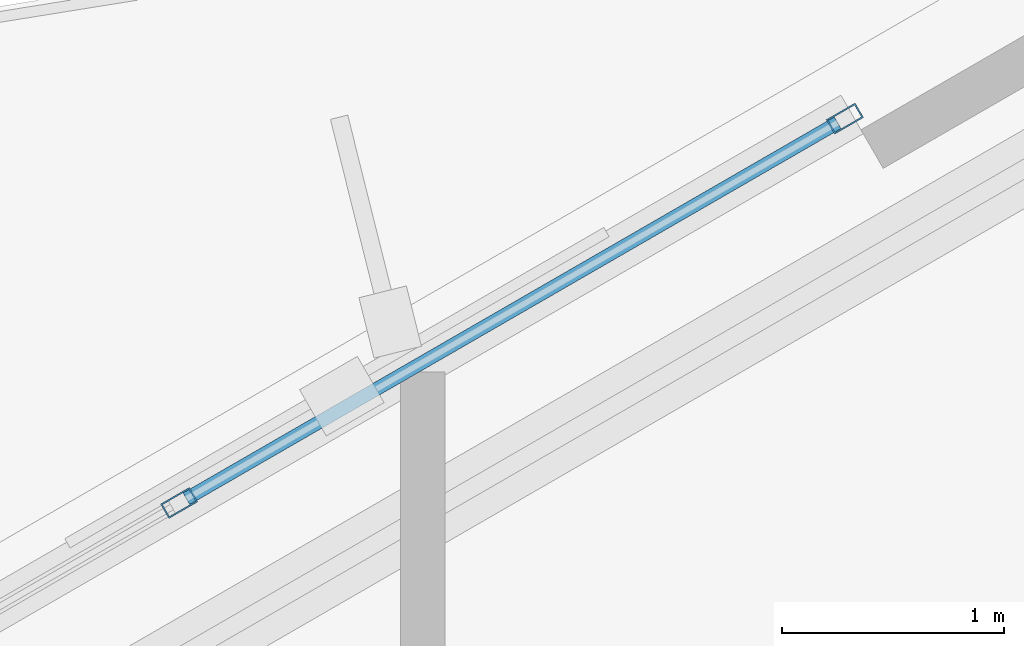
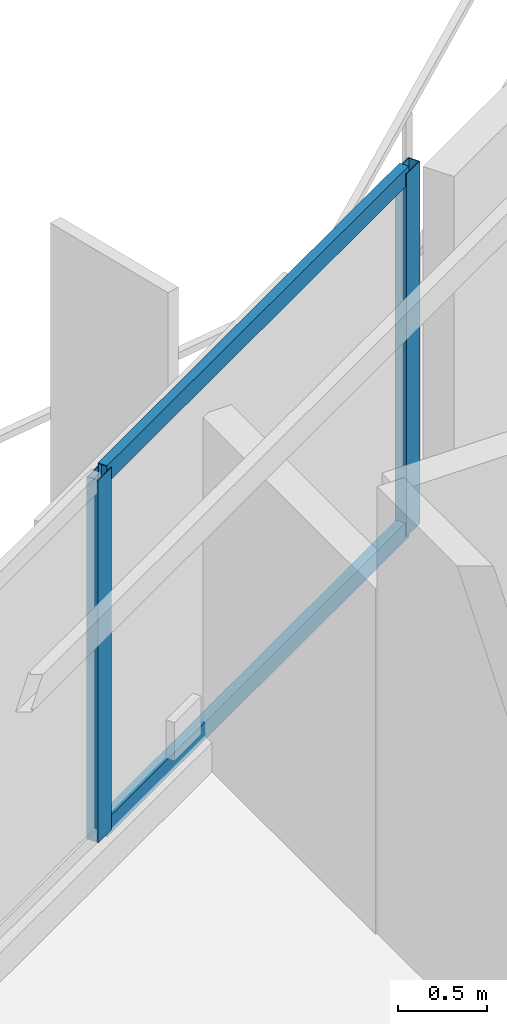
# One storey, part 10 of 19: 4 members, 1 element without a shape of its own.
"""IFC4 building model written with IfcOpenShell, lengths in metres."""

import ifcopenshell
import ifcopenshell.guid

model = None  # the IFC model being written
_history = None  # IfcOwnerHistory: only IFC2X3 demands one
_inside = {}  # id of a spatial element -> (the spatial element, [elements in it])
_under = {}  # id of a project, library or spatial element -> (it, [spatial elements below it])
_declared = {}  # id of a project -> (the project, [libraries it declares])
_typed = {}  # id of a type object -> (the type object, [elements of that type])
_made_of = {}  # id of a material, layer set ... -> (it, [elements and type objects made of it])


def new_model(schema):
    """Start an empty IFC model of exactly this schema.

    Asked for "IFC4X3", IfcOpenShell would pick the latest addendum, in which some entities
    have other attributes; the version numbers below select the first issue.
    IFC2X3 requires an IfcOwnerHistory on every rooted entity: one is made here for all.
    """
    global model, _history
    if schema == "IFC4X3":
        model = ifcopenshell.file(schema_version=(4, 3, 0, 0))
    else:
        model = ifcopenshell.file(schema=schema)
    _inside.clear()
    _under.clear()
    _declared.clear()
    _typed.clear()
    _made_of.clear()
    _history = None
    if model.schema == "IFC2X3":
        org = make("IfcOrganization", Name="unknown")
        user = make(
            "IfcPersonAndOrganization",
            ThePerson=make("IfcPerson", FamilyName="unknown"),
            TheOrganization=org,
        )
        app = make(
            "IfcApplication",
            ApplicationDeveloper=org,
            Version="unknown",
            ApplicationFullName="unknown",
            ApplicationIdentifier="unknown",
        )
        _history = make(
            "IfcOwnerHistory",
            OwningUser=user,
            OwningApplication=app,
            ChangeAction="ADDED",
            CreationDate=0,
        )
    return model


def make(cls, **values):
    """One entity of the class cls with the attributes given. An attribute that is None is left unset."""
    return model.create_entity(
        cls, **{name: value for name, value in values.items() if value is not None}
    )


def rooted(cls, **values):
    """An entity with a GlobalId (a new one), such as an element, a storey or a relation."""
    return make(cls, GlobalId=ifcopenshell.guid.new(), OwnerHistory=_history, **values)


def si_unit(unit_type, name, prefix=None):
    """IfcSIUnit, for example si_unit("LENGTHUNIT", "METRE", prefix="MILLI")."""
    return make("IfcSIUnit", UnitType=unit_type, Prefix=prefix, Name=name)


def assignment(units):
    """IfcUnitAssignment: the units of a project."""
    return None if units is None else make("IfcUnitAssignment", Units=units)


def point(xyz):
    """IfcCartesianPoint."""
    return None if xyz is None else make("IfcCartesianPoint", Coordinates=xyz)


def direction(xyz):
    """IfcDirection."""
    return None if xyz is None else make("IfcDirection", DirectionRatios=xyz)


def frame(location, z_axis=None, x_axis=None):
    """IfcAxis2Placement3D, a coordinate frame: its origin and axes. An axis left out is left unset."""
    return make(
        "IfcAxis2Placement3D",
        Location=point(location),
        Axis=direction(z_axis),
        RefDirection=direction(x_axis),
    )


def frame_2d(location, x_axis=None):
    """IfcAxis2Placement2D, a coordinate frame in the plane: its origin and x axis."""
    return make(
        "IfcAxis2Placement2D", Location=point(location), RefDirection=direction(x_axis)
    )


def origin():
    """The frame at (0, 0, 0) with its axes left unset."""
    return frame((0.0, 0.0, 0.0))


def origin_2d():
    """The frame at (0, 0) in the plane with its x axis left unset."""
    return frame_2d((0.0, 0.0))


def place(relative_to, where):
    """IfcLocalPlacement: puts the frame where relative to a parent placement (None: the world)."""
    return make(
        "IfcLocalPlacement", PlacementRelTo=relative_to, RelativePlacement=where
    )


def context(
    kind, dimensions, precision=None, world=None, true_north=None, identifier=None
):
    """IfcGeometricRepresentationContext, for example the 3D "Model" context."""
    return make(
        "IfcGeometricRepresentationContext",
        ContextIdentifier=identifier,
        ContextType=kind,
        CoordinateSpaceDimension=dimensions,
        Precision=precision,
        WorldCoordinateSystem=world,
        TrueNorth=true_north,
    )


def subcontext(parent, identifier, kind, view, scale=None):
    """IfcGeometricRepresentationSubContext, for example "Body" below "Model"."""
    return make(
        "IfcGeometricRepresentationSubContext",
        ContextIdentifier=identifier,
        ContextType=kind,
        ParentContext=parent,
        TargetScale=scale,
        TargetView=view,
    )


def project(units=None, contexts=None):
    """IfcProject with its units and contexts."""
    return rooted(
        "IfcProject",
        Name="project",
        RepresentationContexts=contexts,
        UnitsInContext=assignment(units),
    )


def spatial(cls, under=None, at=None, **own):
    """A site, building, storey or space (cls), placed at a placement, below another one or the project."""
    s = rooted(cls, ObjectPlacement=at, **own)
    if under is not None:
        _under.setdefault(under.id(), (under, []))[1].append(s)
    return s


def profile(cls, at=None, kind="AREA", **sizes):
    """A parametric profile (cls). Its sizes go by their IFC names, for example OverallWidth=200.0."""
    return make(cls, ProfileType=kind, Position=at, **sizes)


def hollow_rectangle(**sizes):
    """IfcRectangleHollowProfileDef."""
    return profile("IfcRectangleHollowProfileDef", **sizes)


def extrude(swept, where, along, depth):
    """IfcExtrudedAreaSolid: the profile swept, set in the frame where, extruded along a direction by depth."""
    return make(
        "IfcExtrudedAreaSolid",
        SweptArea=swept,
        Position=where,
        ExtrudedDirection=direction(along),
        Depth=depth,
    )


def shape(context_of_items, identifier, shape_type, items):
    """IfcShapeRepresentation: the items that make up one representation, for example the "Body"."""
    return make(
        "IfcShapeRepresentation",
        ContextOfItems=context_of_items,
        RepresentationIdentifier=identifier,
        RepresentationType=shape_type,
        Items=items,
    )


def material(Name=None, Category=None):
    """IfcMaterial."""
    return make("IfcMaterial", Name=Name, Category=Category)


def layer(
    of_material, thickness, ventilated=None, Name=None, Category=None, Priority=None
):
    """IfcMaterialLayer: one layer of a wall or slab, of a material (None: an air gap)."""
    return make(
        "IfcMaterialLayer",
        Material=of_material,
        LayerThickness=thickness,
        IsVentilated=ventilated,
        Name=Name,
        Category=Category,
        Priority=Priority,
    )


def layer_set(layers, Name=None):
    """IfcMaterialLayerSet."""
    return make("IfcMaterialLayerSet", MaterialLayers=layers, LayerSetName=Name)


def material_profile(
    of_material, cross_section, Name=None, Category=None, Priority=None
):
    """IfcMaterialProfile: a cross section and its material."""
    return make(
        "IfcMaterialProfile",
        Name=Name,
        Material=of_material,
        Profile=cross_section,
        Priority=Priority,
        Category=Category,
    )


def profile_set(profiles, Name=None, composite=None):
    """IfcMaterialProfileSet."""
    return make(
        "IfcMaterialProfileSet",
        Name=Name,
        MaterialProfiles=profiles,
        CompositeProfile=composite,
    )


def made_of(thing, what):
    """Note that an element or type object is made of a material, layer set ...; save() writes the relation."""
    if what is not None:
        _made_of.setdefault(what.id(), (what, []))[1].append(thing)
    return thing


def type_object(cls, material=None, **own):
    """A type object (cls), such as IfcWallType, which elements share."""
    return made_of(rooted(cls, **own), material)


def element(
    cls,
    number,
    at=None,
    inside=None,
    cuts=None,
    type_object=None,
    material=None,
    context=None,
    identifier="Body",
    shape_type=None,
    held_by="IfcProductDefinitionShape",
    body=None,
    shapes=None,
    **own,
):
    """One element of the class cls, such as IfcWall. Its Tag is "e" and its number.

    at: its placement. inside: the storey or other place that contains it. cuts: it is an
    opening in that element (IfcRelVoidsElement). A single representation is given by context,
    identifier, shape_type and body (its items); several are given by shapes. held_by: the class
    of the entity that holds the representations. save() writes the other relations.
    """
    e = rooted(cls, Tag="e%d" % number, ObjectPlacement=at, **own)
    if body is not None:
        shapes = [shape(context, identifier, shape_type, body)]
    if shapes is not None:
        e.Representation = make(held_by, Representations=shapes)
    if inside is not None:
        _inside.setdefault(inside.id(), (inside, []))[1].append(e)
    if cuts is not None:
        rooted(
            "IfcRelVoidsElement", RelatingBuildingElement=cuts, RelatedOpeningElement=e
        )
    if type_object is not None:
        _typed.setdefault(type_object.id(), (type_object, []))[1].append(e)
    return made_of(e, material)


def aggregate(whole, parts):
    """IfcRelAggregates: a whole, such as a stair, and the parts it consists of."""
    return rooted("IfcRelAggregates", RelatingObject=whole, RelatedObjects=parts)


def save(model, path):
    """Write the relations noted so far, then the file.

    IfcRelAggregates (storeys below a building ...), IfcRelContainedInSpatialStructure (elements
    in a storey), IfcRelDefinesByType, IfcRelAssociatesMaterial and IfcRelDeclares: one each for
    every whole, place, type object, material and project.
    """
    for whole, parts in _under.values():
        aggregate(whole, parts)
    for where, things in _inside.values():
        rooted(
            "IfcRelContainedInSpatialStructure",
            RelatedElements=things,
            RelatingStructure=where,
        )
    for kind, things in _typed.values():
        rooted("IfcRelDefinesByType", RelatedObjects=things, RelatingType=kind)
    for what, things in _made_of.values():
        rooted("IfcRelAssociatesMaterial", RelatedObjects=things, RelatingMaterial=what)
    for by, libraries in _declared.values():
        rooted("IfcRelDeclares", RelatingContext=by, RelatedDefinitions=libraries)
    model.write(path)


model = new_model("IFC4")

# Units and contexts
model_context = context("Model", 3, precision=1e-05, world=origin(), true_north=direction((0.0, 1.0)))
body_context = subcontext(model_context, "Body", "Model", "MODEL_VIEW")
ifc_project = project(units=[si_unit("LENGTHUNIT", "METRE"), si_unit("AREAUNIT", "SQUARE_METRE"), si_unit("VOLUMEUNIT", "CUBIC_METRE"), si_unit("PLANEANGLEUNIT", "RADIAN"), si_unit("MASSUNIT", "GRAM", prefix="KILO")], contexts=[model_context])

# Site, building, storey
site_placement = place(None, origin())
site = spatial("IfcSite", under=ifc_project, at=site_placement, CompositionType="ELEMENT")
building_placement = place(site_placement, origin())
building = spatial("IfcBuilding", under=site, at=building_placement, Name="Mersakhor Tower and Convention Hall", CompositionType="ELEMENT")
storey_placement = place(building_placement, frame((0.0, 0.0, 124.5)))
storey = spatial("IfcBuildingStorey", under=building, at=storey_placement, Name="L34", CompositionType="ELEMENT", Elevation=124.5)

# Curtain wall, members
ifc_material_1 = material(Name="Dark solar low-E aluminium curtain wall", Category="aluminium")
ifc_layer = layer(ifc_material_1, 0.169921875)
ifc_layer_set = layer_set([ifc_layer], Name="Dark solar low-E aluminium curtain wall")
curtain_wall_type = type_object("IfcCurtainWallType", Name="CW-SYS-02", PredefinedType="USERDEFINED", material=ifc_layer_set)
curtain_wall_placement = place(storey_placement, origin())
curtain_wall = element("IfcCurtainWall", 1, at=curtain_wall_placement, inside=storey, type_object=curtain_wall_type, Name="L34 Dark-Glass Curtain Wall F1-B2", ObjectType="CURTAIN WALL", PredefinedType="USERDEFINED")
ifc_material_2 = material(Name="Anodised aluminium EN AW-6063 T6", Category="aluminium")
ifc_material_profile_1 = material_profile(ifc_material_2, hollow_rectangle(XDim=0.074951171875, YDim=0.14990234375, WallThickness=0.00634765625, at=origin_2d()), Name="RHS 150x75x6.3")
ifc_profile_set_1 = profile_set([ifc_material_profile_1], Name="Anodised aluminium EN AW-6063 T6")
member_type_1 = type_object("IfcMemberType", Name="CWM-150x75", PredefinedType="MULLION", material=ifc_profile_set_1)
member_1_placement = place(storey_placement, frame((23.904052734375, 39.072021484375, 0.199951171875), z_axis=(0.0, 0.0, 1.0), x_axis=(-0.499990468363, 0.866030906807, 0.0)))
member_1 = element("IfcMember", 2, at=member_1_placement, type_object=member_type_1, Name="CW-02 mullion 3", PredefinedType="MULLION", context=body_context, shape_type="SweptSolid", body=[
    extrude(hollow_rectangle(XDim=0.074951171875, YDim=0.14990234375, WallThickness=0.00634765625, at=origin_2d()), origin(), (0.0, 0.0, 1.0), 2.47998046875),
])
member_2_placement = place(storey_placement, frame((26.8984375, 40.80078125, 0.199951171875), z_axis=(0.0, 0.0, 1.0), x_axis=(-0.499990468363, 0.866030906807, 0.0)))
member_2 = element("IfcMember", 3, at=member_2_placement, type_object=member_type_1, Name="CW-02 mullion 4", PredefinedType="MULLION", context=body_context, shape_type="SweptSolid", body=[
    extrude(hollow_rectangle(XDim=0.074951171875, YDim=0.14990234375, WallThickness=0.00634765625, at=origin_2d()), origin(), (0.0, 0.0, 1.0), 2.47998046875),
])
ifc_material_3 = material(Name="Anodised aluminium EN AW-6063 T6", Category="aluminium")
ifc_material_profile_2 = material_profile(ifc_material_3, hollow_rectangle(XDim=0.06005859375, YDim=0.1201171875, WallThickness=0.0048828125, at=origin_2d()), Name="RHS 120x60x5")
ifc_profile_set_2 = profile_set([ifc_material_profile_2], Name="Anodised aluminium EN AW-6063 T6")
member_type_2 = type_object("IfcMemberType", Name="CWT-120x60", PredefinedType="USERDEFINED", material=ifc_profile_set_2)
member_3_placement = place(storey_placement, frame((23.9365234375, 39.0908203125, 0.22998046875), z_axis=(0.866044963944, 0.49996611928, 0.0), x_axis=(-0.49996611928, 0.866044963944, 0.0)))
member_3 = element("IfcMember", 4, at=member_3_placement, type_object=member_type_2, Name="CW-02 transom 3.1", ObjectType="TRANSOM", PredefinedType="USERDEFINED", context=body_context, shape_type="SweptSolid", body=[
    extrude(hollow_rectangle(XDim=0.06005859375, YDim=0.1201171875, WallThickness=0.0048828125, at=origin_2d()), origin(), (0.0, 0.0, 1.0), 3.382568359375),
])
member_4_placement = place(storey_placement, frame((23.9365234375, 39.0908203125, 2.64990234375), z_axis=(0.866044963944, 0.49996611928, 0.0), x_axis=(-0.49996611928, 0.866044963944, 0.0)))
member_4 = element("IfcMember", 5, at=member_4_placement, type_object=member_type_2, Name="CW-02 transom 3.2", ObjectType="TRANSOM", PredefinedType="USERDEFINED", context=body_context, shape_type="SweptSolid", body=[
    extrude(hollow_rectangle(XDim=0.06005859375, YDim=0.1201171875, WallThickness=0.0048828125, at=origin_2d()), origin(), (0.0, 0.0, 1.0), 3.382568359375),
])
aggregate(curtain_wall, [member_1, member_2, member_3, member_4])

save(model, "model.ifc")
